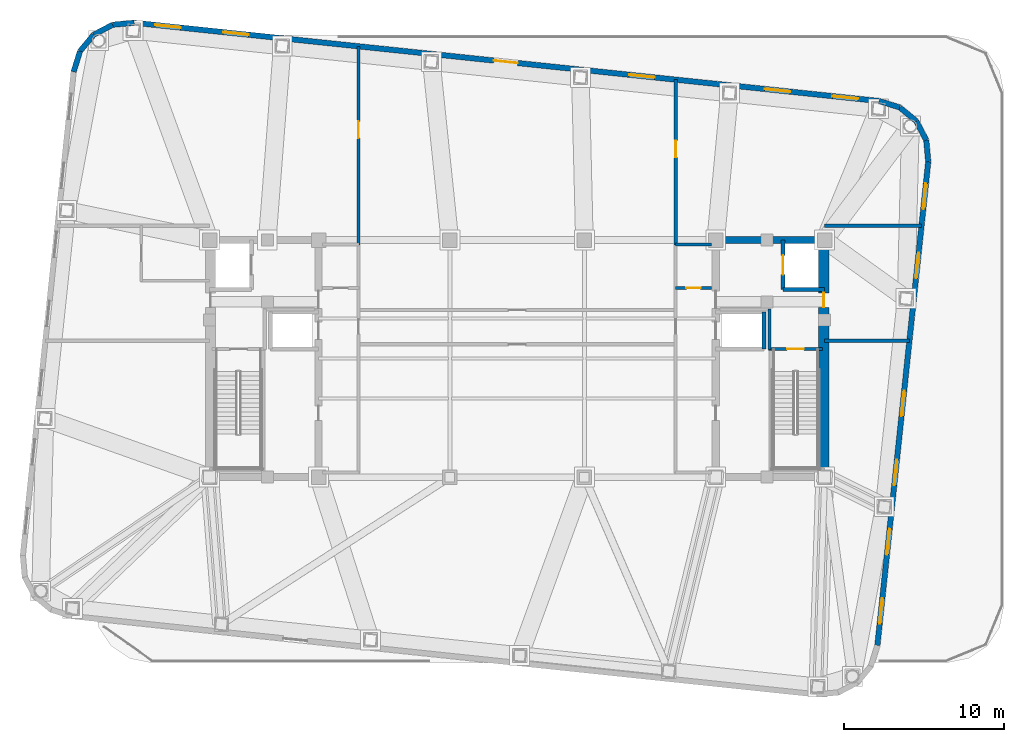
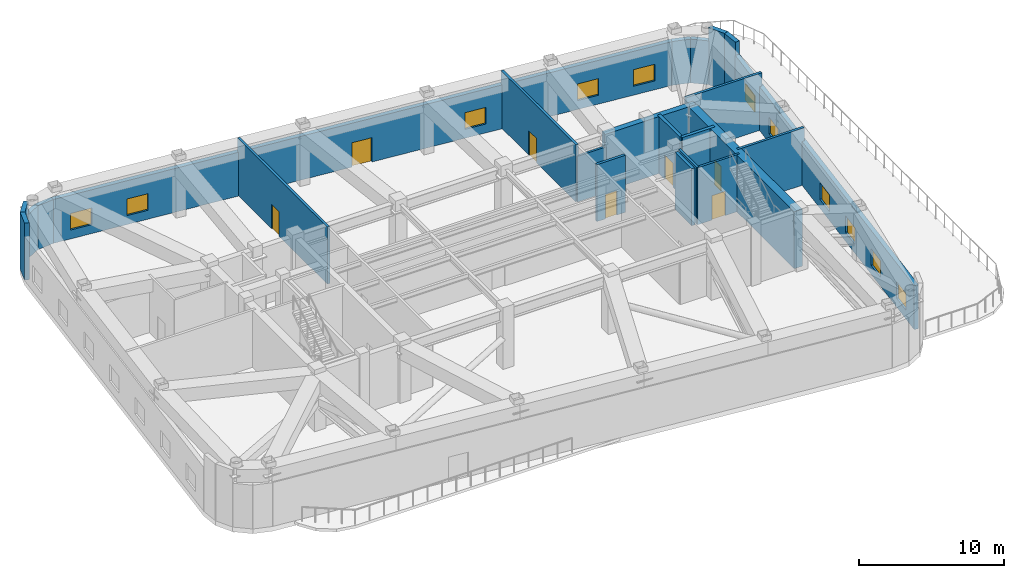
# One storey, part 5 of 9: 23 walls, 11 windows, 7 doors, 18 openings.
"""IFC4 building model written with IfcOpenShell, lengths in metres."""

import ifcopenshell
import ifcopenshell.guid

model = None  # the IFC model being written
_history = None  # IfcOwnerHistory: only IFC2X3 demands one
_inside = {}  # id of a spatial element -> (the spatial element, [elements in it])
_under = {}  # id of a project, library or spatial element -> (it, [spatial elements below it])
_declared = {}  # id of a project -> (the project, [libraries it declares])
_typed = {}  # id of a type object -> (the type object, [elements of that type])
_made_of = {}  # id of a material, layer set ... -> (it, [elements and type objects made of it])


def new_model(schema):
    """Start an empty IFC model of exactly this schema.

    Asked for "IFC4X3", IfcOpenShell would pick the latest addendum, in which some entities
    have other attributes; the version numbers below select the first issue.
    IFC2X3 requires an IfcOwnerHistory on every rooted entity: one is made here for all.
    """
    global model, _history
    if schema == "IFC4X3":
        model = ifcopenshell.file(schema_version=(4, 3, 0, 0))
    else:
        model = ifcopenshell.file(schema=schema)
    _inside.clear()
    _under.clear()
    _declared.clear()
    _typed.clear()
    _made_of.clear()
    _history = None
    if model.schema == "IFC2X3":
        org = make("IfcOrganization", Name="unknown")
        user = make(
            "IfcPersonAndOrganization",
            ThePerson=make("IfcPerson", FamilyName="unknown"),
            TheOrganization=org,
        )
        app = make(
            "IfcApplication",
            ApplicationDeveloper=org,
            Version="unknown",
            ApplicationFullName="unknown",
            ApplicationIdentifier="unknown",
        )
        _history = make(
            "IfcOwnerHistory",
            OwningUser=user,
            OwningApplication=app,
            ChangeAction="ADDED",
            CreationDate=0,
        )
    return model


def make(cls, **values):
    """One entity of the class cls with the attributes given. An attribute that is None is left unset."""
    return model.create_entity(
        cls, **{name: value for name, value in values.items() if value is not None}
    )


def rooted(cls, **values):
    """An entity with a GlobalId (a new one), such as an element, a storey or a relation."""
    return make(cls, GlobalId=ifcopenshell.guid.new(), OwnerHistory=_history, **values)


def si_unit(unit_type, name, prefix=None):
    """IfcSIUnit, for example si_unit("LENGTHUNIT", "METRE", prefix="MILLI")."""
    return make("IfcSIUnit", UnitType=unit_type, Prefix=prefix, Name=name)


def assignment(units):
    """IfcUnitAssignment: the units of a project."""
    return None if units is None else make("IfcUnitAssignment", Units=units)


def point(xyz):
    """IfcCartesianPoint."""
    return None if xyz is None else make("IfcCartesianPoint", Coordinates=xyz)


def direction(xyz):
    """IfcDirection."""
    return None if xyz is None else make("IfcDirection", DirectionRatios=xyz)


def frame(location, z_axis=None, x_axis=None):
    """IfcAxis2Placement3D, a coordinate frame: its origin and axes. An axis left out is left unset."""
    return make(
        "IfcAxis2Placement3D",
        Location=point(location),
        Axis=direction(z_axis),
        RefDirection=direction(x_axis),
    )


def frame_2d(location, x_axis=None):
    """IfcAxis2Placement2D, a coordinate frame in the plane: its origin and x axis."""
    return make(
        "IfcAxis2Placement2D", Location=point(location), RefDirection=direction(x_axis)
    )


def origin():
    """The frame at (0, 0, 0) with its axes left unset."""
    return frame((0.0, 0.0, 0.0))


def place(relative_to, where):
    """IfcLocalPlacement: puts the frame where relative to a parent placement (None: the world)."""
    return make(
        "IfcLocalPlacement", PlacementRelTo=relative_to, RelativePlacement=where
    )


def context(
    kind, dimensions, precision=None, world=None, true_north=None, identifier=None
):
    """IfcGeometricRepresentationContext, for example the 3D "Model" context."""
    return make(
        "IfcGeometricRepresentationContext",
        ContextIdentifier=identifier,
        ContextType=kind,
        CoordinateSpaceDimension=dimensions,
        Precision=precision,
        WorldCoordinateSystem=world,
        TrueNorth=true_north,
    )


def subcontext(parent, identifier, kind, view, scale=None):
    """IfcGeometricRepresentationSubContext, for example "Body" below "Model"."""
    return make(
        "IfcGeometricRepresentationSubContext",
        ContextIdentifier=identifier,
        ContextType=kind,
        ParentContext=parent,
        TargetScale=scale,
        TargetView=view,
    )


def project(units=None, contexts=None):
    """IfcProject with its units and contexts."""
    return rooted(
        "IfcProject",
        Name="project",
        RepresentationContexts=contexts,
        UnitsInContext=assignment(units),
    )


def spatial(cls, under=None, at=None, **own):
    """A site, building, storey or space (cls), placed at a placement, below another one or the project."""
    s = rooted(cls, ObjectPlacement=at, **own)
    if under is not None:
        _under.setdefault(under.id(), (under, []))[1].append(s)
    return s


def profile(cls, at=None, kind="AREA", **sizes):
    """A parametric profile (cls). Its sizes go by their IFC names, for example OverallWidth=200.0."""
    return make(cls, ProfileType=kind, Position=at, **sizes)


def rectangle(**sizes):
    """IfcRectangleProfileDef."""
    return profile("IfcRectangleProfileDef", **sizes)


def extrude(swept, where, along, depth):
    """IfcExtrudedAreaSolid: the profile swept, set in the frame where, extruded along a direction by depth."""
    return make(
        "IfcExtrudedAreaSolid",
        SweptArea=swept,
        Position=where,
        ExtrudedDirection=direction(along),
        Depth=depth,
    )


def shape(context_of_items, identifier, shape_type, items):
    """IfcShapeRepresentation: the items that make up one representation, for example the "Body"."""
    return make(
        "IfcShapeRepresentation",
        ContextOfItems=context_of_items,
        RepresentationIdentifier=identifier,
        RepresentationType=shape_type,
        Items=items,
    )


def material(Name=None, Category=None):
    """IfcMaterial."""
    return make("IfcMaterial", Name=Name, Category=Category)


def layer(
    of_material, thickness, ventilated=None, Name=None, Category=None, Priority=None
):
    """IfcMaterialLayer: one layer of a wall or slab, of a material (None: an air gap)."""
    return make(
        "IfcMaterialLayer",
        Material=of_material,
        LayerThickness=thickness,
        IsVentilated=ventilated,
        Name=Name,
        Category=Category,
        Priority=Priority,
    )


def layer_set(layers, Name=None):
    """IfcMaterialLayerSet."""
    return make("IfcMaterialLayerSet", MaterialLayers=layers, LayerSetName=Name)


def made_of(thing, what):
    """Note that an element or type object is made of a material, layer set ...; save() writes the relation."""
    if what is not None:
        _made_of.setdefault(what.id(), (what, []))[1].append(thing)
    return thing


def type_object(cls, material=None, **own):
    """A type object (cls), such as IfcWallType, which elements share."""
    return made_of(rooted(cls, **own), material)


def element(
    cls,
    number,
    at=None,
    inside=None,
    cuts=None,
    type_object=None,
    material=None,
    context=None,
    identifier="Body",
    shape_type=None,
    held_by="IfcProductDefinitionShape",
    body=None,
    shapes=None,
    **own,
):
    """One element of the class cls, such as IfcWall. Its Tag is "e" and its number.

    at: its placement. inside: the storey or other place that contains it. cuts: it is an
    opening in that element (IfcRelVoidsElement). A single representation is given by context,
    identifier, shape_type and body (its items); several are given by shapes. held_by: the class
    of the entity that holds the representations. save() writes the other relations.
    """
    e = rooted(cls, Tag="e%d" % number, ObjectPlacement=at, **own)
    if body is not None:
        shapes = [shape(context, identifier, shape_type, body)]
    if shapes is not None:
        e.Representation = make(held_by, Representations=shapes)
    if inside is not None:
        _inside.setdefault(inside.id(), (inside, []))[1].append(e)
    if cuts is not None:
        rooted(
            "IfcRelVoidsElement", RelatingBuildingElement=cuts, RelatedOpeningElement=e
        )
    if type_object is not None:
        _typed.setdefault(type_object.id(), (type_object, []))[1].append(e)
    return made_of(e, material)


def fill(opening, filler):
    """IfcRelFillsElement: the door or window that sits in an opening."""
    return rooted(
        "IfcRelFillsElement",
        RelatingOpeningElement=opening,
        RelatedBuildingElement=filler,
    )


def aggregate(whole, parts):
    """IfcRelAggregates: a whole, such as a stair, and the parts it consists of."""
    return rooted("IfcRelAggregates", RelatingObject=whole, RelatedObjects=parts)


def save(model, path):
    """Write the relations noted so far, then the file.

    IfcRelAggregates (storeys below a building ...), IfcRelContainedInSpatialStructure (elements
    in a storey), IfcRelDefinesByType, IfcRelAssociatesMaterial and IfcRelDeclares: one each for
    every whole, place, type object, material and project.
    """
    for whole, parts in _under.values():
        aggregate(whole, parts)
    for where, things in _inside.values():
        rooted(
            "IfcRelContainedInSpatialStructure",
            RelatedElements=things,
            RelatingStructure=where,
        )
    for kind, things in _typed.values():
        rooted("IfcRelDefinesByType", RelatedObjects=things, RelatingType=kind)
    for what, things in _made_of.values():
        rooted("IfcRelAssociatesMaterial", RelatedObjects=things, RelatingMaterial=what)
    for by, libraries in _declared.values():
        rooted("IfcRelDeclares", RelatingContext=by, RelatedDefinitions=libraries)
    model.write(path)


model = new_model("IFC4")

# Units and contexts
model_context = context("Model", 3, precision=1e-05, world=origin(), true_north=direction((0.0, 1.0)))
body_context = subcontext(model_context, "Body", "Model", "MODEL_VIEW")
ifc_project = project(units=[si_unit("LENGTHUNIT", "METRE"), si_unit("AREAUNIT", "SQUARE_METRE"), si_unit("VOLUMEUNIT", "CUBIC_METRE"), si_unit("PLANEANGLEUNIT", "RADIAN"), si_unit("MASSUNIT", "GRAM", prefix="KILO")], contexts=[model_context])

# Site, building, storey
site_placement = place(None, origin())
site = spatial("IfcSite", under=ifc_project, at=site_placement, CompositionType="ELEMENT")
building_placement = place(site_placement, origin())
building = spatial("IfcBuilding", under=site, at=building_placement, Name="Voryun Gate Residences", CompositionType="ELEMENT")
storey_placement = place(building_placement, frame((0.0, 0.0, 254.800048828125)))
storey = spatial("IfcBuildingStorey", under=building, at=storey_placement, Name="L63", CompositionType="ELEMENT", Elevation=254.800048828125)

# Wall
ifc_material_1 = material(Name="Concrete C50/60", Category="concrete")
ifc_layer_1 = layer(ifc_material_1, 0.449951171875, Name="CW_CORE_450")
ifc_layer_set_1 = layer_set([ifc_layer_1], Name="Concrete C50/60")
wall_type_1 = type_object("IfcWallType", Name="CW_CORE_450", PredefinedType="SHEAR", material=ifc_layer_set_1)
wall_1_placement = place(storey_placement, frame((12.175048828125, 7.39990234375, 0.0), z_axis=(0.0, 0.0, 1.0), x_axis=(1.0, 0.0, 0.0)))
element("IfcWall", 1, at=wall_1_placement, inside=storey, type_object=wall_type_1, Name="L63 Core shear wall CW-L63-EN", PredefinedType="SHEAR", context=body_context, shape_type="SweptSolid", body=[
    extrude(rectangle(XDim=7.25, YDim=0.449951171875, at=frame_2d((3.625, 0.0))), origin(), (0.0, 0.0, 1.0), 4.800048828125),
])

# Wall, opening, door
ifc_material_2 = material(Name="Concrete C60/75", Category="concrete")
ifc_layer_2 = layer(ifc_material_2, 0.64990234375, Name="CW_CORE_650")
ifc_layer_set_2 = layer_set([ifc_layer_2], Name="Concrete C60/75")
wall_type_2 = type_object("IfcWallType", Name="CW_CORE_650", PredefinedType="SHEAR", material=ifc_layer_set_2)
wall_2_placement = place(storey_placement, frame((19.14501953125, -7.39990234375, 0.0), z_axis=(0.0, 0.0, 1.0), x_axis=(0.0, 1.0, 0.0)))
wall_2 = element("IfcWall", 2, at=wall_2_placement, inside=storey, type_object=wall_type_2, Name="L63 Core shear wall CW-L63-EE", PredefinedType="SHEAR", context=body_context, shape_type="SweptSolid", body=[
    extrude(rectangle(XDim=14.7998046875, YDim=0.64990234375, at=frame_2d((7.39990234375, 0.0))), origin(), (0.0, 0.0, 1.0), 4.800048828125),
])
opening_1_placement = place(wall_2_placement, frame((10.60009765625, 0.0, 0.0)))
opening_1 = element("IfcOpeningElement", 3, at=opening_1_placement, cuts=wall_2, Name="Opening D-FD60-4", PredefinedType="OPENING", context=body_context, shape_type="SweptSolid", body=[
    extrude(rectangle(XDim=0.89990234375, YDim=2.050048828125, at=frame_2d((0.449951171875, 1.02490234375))), frame((0.0, 0.3349609375, 0.0), z_axis=(0.0, -1.0, 0.0), x_axis=(1.0, 0.0, 0.0)), (0.0, 0.0, 1.0), 0.669921875),
])
ifc_material_3 = material(Name="Painted steel fire door", Category="steel")
door_type_1 = type_object("IfcDoorType", Name="DR_FD60_RISER_900", OperationType="NOTDEFINED", PredefinedType="DOOR", material=ifc_material_3)
door_1_placement = place(opening_1_placement, origin())
door_1 = element("IfcDoor", 4, at=door_1_placement, inside=storey, type_object=door_type_1, Name="Door DR-L63-STREF-E", OperationType="SINGLE_SWING_LEFT", OverallHeight=2.050048828125, OverallWidth=0.89990234375, PredefinedType="DOOR", context=body_context, shape_type="SweptSolid", body=[
    extrude(rectangle(XDim=0.89990234375, YDim=2.050048828125, at=frame_2d((0.449951171875, 1.02490234375))), frame((0.0, 0.02490234375, 0.0), z_axis=(0.0, -1.0, 0.0), x_axis=(1.0, 0.0, 0.0)), (0.0, 0.0, 1.0), 0.050048828125),
])
fill(opening_1, door_1)

ifc_material_4 = material(Name="Gypsum acoustic fireboard")
ifc_layer_3 = layer(ifc_material_4, 0.179931640625, Name="W_CORR_RATED_180")
ifc_layer_set_3 = layer_set([ifc_layer_3], Name="Gypsum acoustic fireboard")
wall_type_3 = type_object("IfcWallType", Name="W_CORR_RATED_180", PredefinedType="PARTITIONING", material=ifc_layer_set_3)
wall_3_placement = place(storey_placement, frame((15.699951171875, 0.60009765625, 0.0), z_axis=(0.0, 0.0, 1.0), x_axis=(1.0, 0.0, 0.0)))
wall_3 = element("IfcWall", 5, at=wall_3_placement, inside=storey, type_object=wall_type_3, Name="Partition wall WP-L63-STV-E", PredefinedType="PARTITIONING", context=body_context, shape_type="SweptSolid", body=[
    extrude(rectangle(XDim=3.360107421875, YDim=0.179931640625, at=frame_2d((1.68017578125, 0.0))), origin(), (0.0, 0.0, 1.0), 4.800048828125),
])
opening_2_placement = place(wall_3_placement, frame((1.155029296875, 0.0, 0.0)))
opening_2 = element("IfcOpeningElement", 6, at=opening_2_placement, cuts=wall_3, Name="Opening D-FD60-1", PredefinedType="OPENING", context=body_context, shape_type="SweptSolid", body=[
    extrude(rectangle(XDim=1.050048828125, YDim=2.050048828125, at=frame_2d((0.52490234375, 1.02490234375))), frame((0.0, 0.099853515625, 0.0), z_axis=(0.0, -1.0, 0.0), x_axis=(1.0, 0.0, 0.0)), (0.0, 0.0, 1.0), 0.199951171875),
])
ifc_material_5 = material(Name="Painted steel fire door", Category="steel")
door_type_2 = type_object("IfcDoorType", Name="DR_FD60_STAIR_1050", OperationType="NOTDEFINED", PredefinedType="DOOR", material=ifc_material_5)
door_2_placement = place(opening_2_placement, origin())
door_2 = element("IfcDoor", 7, at=door_2_placement, inside=storey, type_object=door_type_2, Name="Door DR-L63-ST-E", OperationType="SINGLE_SWING_RIGHT", OverallHeight=2.050048828125, OverallWidth=1.050048828125, PredefinedType="DOOR", context=body_context, shape_type="SweptSolid", body=[
    extrude(rectangle(XDim=1.050048828125, YDim=2.050048828125, at=frame_2d((0.52490234375, 1.02490234375))), frame((0.0, 0.02490234375, 0.0), z_axis=(0.0, -1.0, 0.0), x_axis=(1.0, 0.0, 0.0)), (0.0, 0.0, 1.0), 0.050048828125),
])
fill(opening_2, door_2)

# Walls
wall_4_placement = place(storey_placement, frame((9.8798828125, 7.1201171875, 0.0), z_axis=(0.0, 0.0, 1.0), x_axis=(1.0, 0.0, 0.0)))
element("IfcWall", 8, at=wall_4_placement, inside=storey, type_object=wall_type_3, Name="Partition wall WP-L63-PLBN-E", PredefinedType="PARTITIONING", context=body_context, shape_type="SweptSolid", body=[
    extrude(rectangle(XDim=2.27001953125, YDim=0.179931640625, at=frame_2d((1.135009765625, 0.0))), origin(), (0.0, 0.0, 1.0), 3.83984375),
])
ifc_material_6 = material(Name="Charcoal terracotta masonry", Category="masonry")
ifc_layer_4 = layer(ifc_material_6, 0.340087890625, Name="W_EXT_TERRACOTTA_340")
ifc_layer_set_4 = layer_set([ifc_layer_4], Name="Charcoal terracotta masonry")
wall_type_4 = type_object("IfcWallType", Name="W_EXT_TERRACOTTA_340", PredefinedType="ELEMENTEDWALL", material=ifc_layer_set_4)
wall_5_placement = place(storey_placement, frame((-27.69580078125, 17.904541015625, 0.0), z_axis=(0.0, 0.0, 1.0), x_axis=(0.296416228123, 0.955058856671, 0.0)))
element("IfcWall", 9, at=wall_5_placement, inside=storey, type_object=wall_type_4, Name="Exterior wall WEXT-L63-07", PredefinedType="ELEMENTEDWALL", context=body_context, shape_type="SweptSolid", body=[
    extrude(rectangle(XDim=1.35400390625, YDim=0.340087890625, at=frame_2d((0.677001953125, 0.0))), origin(), (0.0, 0.0, 1.0), 4.800048828125),
])
wall_6_placement = place(storey_placement, frame((-27.29443359375, 19.19775390625, 0.0), z_axis=(0.0, 0.0, 1.0), x_axis=(0.639501603217, 0.768789762863, 0.0)))
element("IfcWall", 10, at=wall_6_placement, inside=storey, type_object=wall_type_4, Name="Exterior wall WEXT-L63-08", PredefinedType="ELEMENTEDWALL", context=body_context, shape_type="SweptSolid", body=[
    extrude(rectangle(XDim=1.3369140625, YDim=0.340087890625, at=frame_2d((0.66845703125, 0.0))), origin(), (0.0, 0.0, 1.0), 4.800048828125),
])
wall_7_placement = place(storey_placement, frame((-26.439453125, 20.2255859375, 0.0), z_axis=(0.0, 0.0, 1.0), x_axis=(0.884922182678, 0.465738908193, 0.0)))
element("IfcWall", 11, at=wall_7_placement, inside=storey, type_object=wall_type_4, Name="Exterior wall WEXT-L63-09", PredefinedType="ELEMENTEDWALL", context=body_context, shape_type="SweptSolid", body=[
    extrude(rectangle(XDim=1.337158203125, YDim=0.340087890625, at=frame_2d((0.66845703125, 0.0))), origin(), (0.0, 0.0, 1.0), 3.68994140625),
])
wall_8_placement = place(storey_placement, frame((-25.256103515625, 20.848388671875, 0.0), z_axis=(0.0, 0.0, 1.0), x_axis=(0.995813013343, 0.091413579172, 0.0)))
element("IfcWall", 12, at=wall_8_placement, inside=storey, type_object=wall_type_4, Name="Exterior wall WEXT-L63-10", PredefinedType="ELEMENTEDWALL", context=body_context, shape_type="SweptSolid", body=[
    extrude(rectangle(XDim=1.35400390625, YDim=0.340087890625, at=frame_2d((0.677001953125, 0.0))), origin(), (0.0, 0.0, 1.0), 3.68994140625),
])

# Wall, openings, door, windows
wall_9_placement = place(storey_placement, frame((-23.90771484375, 20.97216796875, 0.0), z_axis=(0.0, 0.0, 1.0), x_axis=(0.994521888554, -0.104528528102, 0.0)))
wall_9 = element("IfcWall", 13, at=wall_9_placement, inside=storey, type_object=wall_type_4, Name="Exterior wall WEXT-L63-11", PredefinedType="ELEMENTEDWALL", context=body_context, shape_type="SweptSolid", body=[
    extrude(rectangle(XDim=46.766357421875, YDim=0.340087890625, at=frame_2d((23.38330078125, 0.0))), origin(), (0.0, 0.0, 1.0), 3.68994140625),
])
opening_3_placement = place(wall_9_placement, frame((1.32568359375, 0.0, 0.75)))
opening_3 = element("IfcOpeningElement", 14, at=opening_3_placement, cuts=wall_9, Name="Opening WN8", PredefinedType="OPENING", context=body_context, shape_type="SweptSolid", body=[
    extrude(rectangle(XDim=1.60009765625, YDim=1.39990234375, at=frame_2d((0.800048828125, 0.699951171875))), frame((0.0, 0.179931640625, 0.0), z_axis=(0.0, -1.0, 0.0), x_axis=(1.0, 0.0, 0.0)), (0.0, 0.0, 1.0), 0.360107421875),
])
opening_4_placement = place(wall_9_placement, frame((5.5771484375, 0.0, 0.75)))
opening_4 = element("IfcOpeningElement", 15, at=opening_4_placement, cuts=wall_9, Name="Opening WN8", PredefinedType="OPENING", context=body_context, shape_type="SweptSolid", body=[
    extrude(rectangle(XDim=1.60009765625, YDim=1.39990234375, at=frame_2d((0.800048828125, 0.699951171875))), frame((0.0, 0.179931640625, 0.0), z_axis=(0.0, -1.0, 0.0), x_axis=(1.0, 0.0, 0.0)), (0.0, 0.0, 1.0), 0.360107421875),
])
opening_5_placement = place(wall_9_placement, frame((22.583251953125, 0.0, 0.0)))
opening_5 = element("IfcOpeningElement", 16, at=opening_5_placement, cuts=wall_9, Name="Opening D-TER-1", PredefinedType="OPENING", context=body_context, shape_type="SweptSolid", body=[
    extrude(rectangle(XDim=1.5, YDim=2.050048828125, at=frame_2d((0.75, 1.02490234375))), frame((0.0, 0.179931640625, 0.0), z_axis=(0.0, -1.0, 0.0), x_axis=(1.0, 0.0, 0.0)), (0.0, 0.0, 1.0), 0.360107421875),
])
opening_6_placement = place(wall_9_placement, frame((31.086181640625, 0.0, 0.75)))
opening_6 = element("IfcOpeningElement", 17, at=opening_6_placement, cuts=wall_9, Name="Opening WN8", PredefinedType="OPENING", context=body_context, shape_type="SweptSolid", body=[
    extrude(rectangle(XDim=1.60009765625, YDim=1.39990234375, at=frame_2d((0.800048828125, 0.699951171875))), frame((0.0, 0.179931640625, 0.0), z_axis=(0.0, -1.0, 0.0), x_axis=(1.0, 0.0, 0.0)), (0.0, 0.0, 1.0), 0.360107421875),
])
opening_7_placement = place(wall_9_placement, frame((39.589111328125, 0.0, 0.75)))
opening_7 = element("IfcOpeningElement", 18, at=opening_7_placement, cuts=wall_9, Name="Opening WN8", PredefinedType="OPENING", context=body_context, shape_type="SweptSolid", body=[
    extrude(rectangle(XDim=1.60009765625, YDim=1.39990234375, at=frame_2d((0.800048828125, 0.699951171875))), frame((0.0, 0.179931640625, 0.0), z_axis=(0.0, -1.0, 0.0), x_axis=(1.0, 0.0, 0.0)), (0.0, 0.0, 1.0), 0.360107421875),
])
opening_8_placement = place(wall_9_placement, frame((43.8408203125, 0.0, 0.75)))
opening_8 = element("IfcOpeningElement", 19, at=opening_8_placement, cuts=wall_9, Name="Opening WN8", PredefinedType="OPENING", context=body_context, shape_type="SweptSolid", body=[
    extrude(rectangle(XDim=1.60009765625, YDim=1.39990234375, at=frame_2d((0.800048828125, 0.699951171875))), frame((0.0, 0.179931640625, 0.0), z_axis=(0.0, -1.0, 0.0), x_axis=(1.0, 0.0, 0.0)), (0.0, 0.0, 1.0), 0.360107421875),
])
ifc_material_7 = material(Name="Thermally broken aluminium and low-E glass", Category="aluminium")
door_type_3 = type_object("IfcDoorType", Name="DR_TERR_EXIT_1500", OperationType="NOTDEFINED", PredefinedType="DOOR", material=ifc_material_7)
door_3_placement = place(opening_5_placement, origin())
door_3 = element("IfcDoor", 20, at=door_3_placement, inside=storey, type_object=door_type_3, Name="Door DR-L63-OUT-01", OperationType="DOUBLE_DOOR_SINGLE_SWING", OverallHeight=2.050048828125, OverallWidth=1.5, PredefinedType="DOOR", context=body_context, shape_type="SweptSolid", body=[
    extrude(rectangle(XDim=1.5, YDim=2.050048828125, at=frame_2d((0.75, 1.02490234375))), frame((0.0, 0.02490234375, 0.0), z_axis=(0.0, -1.0, 0.0), x_axis=(1.0, 0.0, 0.0)), (0.0, 0.0, 1.0), 0.050048828125),
])
fill(opening_5, door_3)
ifc_material_8 = material(Name="Anodised aluminium", Category="aluminium")
window_type = type_object("IfcWindowType", Name="WN_REFUGE_LOUVRE_1600", PartitioningType="SINGLE_PANEL", PredefinedType="WINDOW", material=ifc_material_8)
window_1_placement = place(opening_3_placement, origin())
window_1 = element("IfcWindow", 21, at=window_1_placement, inside=storey, type_object=window_type, Name="Window WN-L63-LV-11-01", OverallHeight=1.39990234375, OverallWidth=1.60009765625, PartitioningType="SINGLE_PANEL", PredefinedType="WINDOW", context=body_context, shape_type="SweptSolid", body=[
    extrude(rectangle(XDim=1.60009765625, YDim=1.39990234375, at=frame_2d((0.800048828125, 0.699951171875))), frame((0.0, 0.030029296875, 0.0), z_axis=(0.0, -1.0, 0.0), x_axis=(1.0, 0.0, 0.0)), (0.0, 0.0, 1.0), 0.06005859375),
])
fill(opening_3, window_1)
window_2_placement = place(opening_4_placement, origin())
window_2 = element("IfcWindow", 22, at=window_2_placement, inside=storey, type_object=window_type, Name="Window WN-L63-LV-11-02", OverallHeight=1.39990234375, OverallWidth=1.60009765625, PartitioningType="SINGLE_PANEL", PredefinedType="WINDOW", context=body_context, shape_type="SweptSolid", body=[
    extrude(rectangle(XDim=1.60009765625, YDim=1.39990234375, at=frame_2d((0.800048828125, 0.699951171875))), frame((0.0, 0.030029296875, 0.0), z_axis=(0.0, -1.0, 0.0), x_axis=(1.0, 0.0, 0.0)), (0.0, 0.0, 1.0), 0.06005859375),
])
fill(opening_4, window_2)
window_3_placement = place(opening_6_placement, origin())
window_3 = element("IfcWindow", 23, at=window_3_placement, inside=storey, type_object=window_type, Name="Window WN-L63-LV-11-08", OverallHeight=1.39990234375, OverallWidth=1.60009765625, PartitioningType="SINGLE_PANEL", PredefinedType="WINDOW", context=body_context, shape_type="SweptSolid", body=[
    extrude(rectangle(XDim=1.60009765625, YDim=1.39990234375, at=frame_2d((0.800048828125, 0.699951171875))), frame((0.0, 0.030029296875, 0.0), z_axis=(0.0, -1.0, 0.0), x_axis=(1.0, 0.0, 0.0)), (0.0, 0.0, 1.0), 0.06005859375),
])
fill(opening_6, window_3)
window_4_placement = place(opening_7_placement, origin())
window_4 = element("IfcWindow", 24, at=window_4_placement, inside=storey, type_object=window_type, Name="Window WN-L63-LV-11-10", OverallHeight=1.39990234375, OverallWidth=1.60009765625, PartitioningType="SINGLE_PANEL", PredefinedType="WINDOW", context=body_context, shape_type="SweptSolid", body=[
    extrude(rectangle(XDim=1.60009765625, YDim=1.39990234375, at=frame_2d((0.800048828125, 0.699951171875))), frame((0.0, 0.030029296875, 0.0), z_axis=(0.0, -1.0, 0.0), x_axis=(1.0, 0.0, 0.0)), (0.0, 0.0, 1.0), 0.06005859375),
])
fill(opening_7, window_4)
window_5_placement = place(opening_8_placement, origin())
window_5 = element("IfcWindow", 25, at=window_5_placement, inside=storey, type_object=window_type, Name="Window WN-L63-LV-11-11", OverallHeight=1.39990234375, OverallWidth=1.60009765625, PartitioningType="SINGLE_PANEL", PredefinedType="WINDOW", context=body_context, shape_type="SweptSolid", body=[
    extrude(rectangle(XDim=1.60009765625, YDim=1.39990234375, at=frame_2d((0.800048828125, 0.699951171875))), frame((0.0, 0.030029296875, 0.0), z_axis=(0.0, -1.0, 0.0), x_axis=(1.0, 0.0, 0.0)), (0.0, 0.0, 1.0), 0.06005859375),
])
fill(opening_8, window_5)

# Walls
wall_10_placement = place(storey_placement, frame((22.6025390625, 16.083740234375, 0.0), z_axis=(0.0, 0.0, 1.0), x_axis=(0.955007802701, -0.296580674994, 0.0)))
element("IfcWall", 26, at=wall_10_placement, inside=storey, type_object=wall_type_4, Name="Exterior wall WEXT-L63-12", PredefinedType="ELEMENTEDWALL", context=body_context, shape_type="SweptSolid", body=[
    extrude(rectangle(XDim=1.354248046875, YDim=0.340087890625, at=frame_2d((0.67724609375, 0.0))), origin(), (0.0, 0.0, 1.0), 3.68994140625),
])
wall_11_placement = place(storey_placement, frame((23.895751953125, 15.68212890625, 0.0), z_axis=(0.0, 0.0, 1.0), x_axis=(0.768789762863, -0.639501603217, 0.0)))
element("IfcWall", 27, at=wall_11_placement, inside=storey, type_object=wall_type_4, Name="Exterior wall WEXT-L63-13", PredefinedType="ELEMENTEDWALL", context=body_context, shape_type="SweptSolid", body=[
    extrude(rectangle(XDim=1.3369140625, YDim=0.340087890625, at=frame_2d((0.66845703125, 0.0))), origin(), (0.0, 0.0, 1.0), 3.68994140625),
])
wall_12_placement = place(storey_placement, frame((24.923583984375, 14.8271484375, 0.0), z_axis=(0.0, 0.0, 1.0), x_axis=(0.46567116636, -0.884957832228, 0.0)))
element("IfcWall", 28, at=wall_12_placement, inside=storey, type_object=wall_type_4, Name="Exterior wall WEXT-L63-14", PredefinedType="ELEMENTEDWALL", context=body_context, shape_type="SweptSolid", body=[
    extrude(rectangle(XDim=1.3369140625, YDim=0.340087890625, at=frame_2d((0.66845703125, 0.0))), origin(), (0.0, 0.0, 1.0), 4.800048828125),
])
wall_13_placement = place(storey_placement, frame((25.546142578125, 13.64404296875, 0.0), z_axis=(0.0, 0.0, 1.0), x_axis=(0.091592370975, -0.995796584438, 0.0)))
element("IfcWall", 29, at=wall_13_placement, inside=storey, type_object=wall_type_4, Name="Exterior wall WEXT-L63-15", PredefinedType="ELEMENTEDWALL", context=body_context, shape_type="SweptSolid", body=[
    extrude(rectangle(XDim=1.35400390625, YDim=0.340087890625, at=frame_2d((0.677001953125, 0.0))), origin(), (0.0, 0.0, 1.0), 4.800048828125),
])

# Wall, openings, windows
wall_14_placement = place(storey_placement, frame((25.670166015625, 12.295654296875, 0.0), z_axis=(0.0, 0.0, 1.0), x_axis=(-0.104533282919, -0.994521388791, 0.0)))
wall_14 = element("IfcWall", 30, at=wall_14_placement, inside=storey, type_object=wall_type_4, Name="Exterior wall WEXT-L63-16", PredefinedType="ELEMENTEDWALL", context=body_context, shape_type="SweptSolid", body=[
    extrude(rectangle(XDim=30.366455078125, YDim=0.340087890625, at=frame_2d((15.18310546875, 0.0))), origin(), (0.0, 0.0, 1.0), 3.68994140625),
])
opening_9_placement = place(wall_14_placement, frame((1.368896484375, 0.0, 0.75)))
opening_9 = element("IfcOpeningElement", 31, at=opening_9_placement, cuts=wall_14, Name="Opening WN8", PredefinedType="OPENING", context=body_context, shape_type="SweptSolid", body=[
    extrude(rectangle(XDim=1.60009765625, YDim=1.39990234375, at=frame_2d((0.800048828125, 0.699951171875))), frame((0.0, 0.179931640625, 0.0), z_axis=(0.0, -1.0, 0.0), x_axis=(1.0, 0.0, 0.0)), (0.0, 0.0, 1.0), 0.360107421875),
])
opening_10_placement = place(wall_14_placement, frame((5.70703125, 0.0, 0.75)))
opening_10 = element("IfcOpeningElement", 32, at=opening_10_placement, cuts=wall_14, Name="Opening WN8", PredefinedType="OPENING", context=body_context, shape_type="SweptSolid", body=[
    extrude(rectangle(XDim=1.60009765625, YDim=1.39990234375, at=frame_2d((0.800048828125, 0.699951171875))), frame((0.0, 0.179931640625, 0.0), z_axis=(0.0, -1.0, 0.0), x_axis=(1.0, 0.0, 0.0)), (0.0, 0.0, 1.0), 0.360107421875),
])
opening_11_placement = place(wall_14_placement, frame((14.38330078125, 0.0, 0.75)))
opening_11 = element("IfcOpeningElement", 33, at=opening_11_placement, cuts=wall_14, Name="Opening WN8", PredefinedType="OPENING", context=body_context, shape_type="SweptSolid", body=[
    extrude(rectangle(XDim=1.60009765625, YDim=1.39990234375, at=frame_2d((0.800048828125, 0.699951171875))), frame((0.0, 0.179931640625, 0.0), z_axis=(0.0, -1.0, 0.0), x_axis=(1.0, 0.0, 0.0)), (0.0, 0.0, 1.0), 0.360107421875),
])
opening_12_placement = place(wall_14_placement, frame((18.721435546875, 0.0, 0.75)))
opening_12 = element("IfcOpeningElement", 34, at=opening_12_placement, cuts=wall_14, Name="Opening WN8", PredefinedType="OPENING", context=body_context, shape_type="SweptSolid", body=[
    extrude(rectangle(XDim=1.60009765625, YDim=1.39990234375, at=frame_2d((0.800048828125, 0.699951171875))), frame((0.0, 0.179931640625, 0.0), z_axis=(0.0, -1.0, 0.0), x_axis=(1.0, 0.0, 0.0)), (0.0, 0.0, 1.0), 0.360107421875),
])
opening_13_placement = place(wall_14_placement, frame((23.059326171875, 0.0, 0.75)))
opening_13 = element("IfcOpeningElement", 35, at=opening_13_placement, cuts=wall_14, Name="Opening WN8", PredefinedType="OPENING", context=body_context, shape_type="SweptSolid", body=[
    extrude(rectangle(XDim=1.60009765625, YDim=1.39990234375, at=frame_2d((0.800048828125, 0.699951171875))), frame((0.0, 0.179931640625, 0.0), z_axis=(0.0, -1.0, 0.0), x_axis=(1.0, 0.0, 0.0)), (0.0, 0.0, 1.0), 0.360107421875),
])
opening_14_placement = place(wall_14_placement, frame((27.3974609375, 0.0, 0.75)))
opening_14 = element("IfcOpeningElement", 36, at=opening_14_placement, cuts=wall_14, Name="Opening WN8", PredefinedType="OPENING", context=body_context, shape_type="SweptSolid", body=[
    extrude(rectangle(XDim=1.60009765625, YDim=1.39990234375, at=frame_2d((0.800048828125, 0.699951171875))), frame((0.0, 0.179931640625, 0.0), z_axis=(0.0, -1.0, 0.0), x_axis=(1.0, 0.0, 0.0)), (0.0, 0.0, 1.0), 0.360107421875),
])
window_6_placement = place(opening_9_placement, origin())
window_6 = element("IfcWindow", 37, at=window_6_placement, inside=storey, type_object=window_type, Name="Window WN-L63-LV-16-01", OverallHeight=1.39990234375, OverallWidth=1.60009765625, PartitioningType="SINGLE_PANEL", PredefinedType="WINDOW", context=body_context, shape_type="SweptSolid", body=[
    extrude(rectangle(XDim=1.60009765625, YDim=1.39990234375, at=frame_2d((0.800048828125, 0.699951171875))), frame((0.0, 0.030029296875, 0.0), z_axis=(0.0, -1.0, 0.0), x_axis=(1.0, 0.0, 0.0)), (0.0, 0.0, 1.0), 0.06005859375),
])
fill(opening_9, window_6)
window_7_placement = place(opening_10_placement, origin())
window_7 = element("IfcWindow", 38, at=window_7_placement, inside=storey, type_object=window_type, Name="Window WN-L63-LV-16-02", OverallHeight=1.39990234375, OverallWidth=1.60009765625, PartitioningType="SINGLE_PANEL", PredefinedType="WINDOW", context=body_context, shape_type="SweptSolid", body=[
    extrude(rectangle(XDim=1.60009765625, YDim=1.39990234375, at=frame_2d((0.800048828125, 0.699951171875))), frame((0.0, 0.030029296875, 0.0), z_axis=(0.0, -1.0, 0.0), x_axis=(1.0, 0.0, 0.0)), (0.0, 0.0, 1.0), 0.06005859375),
])
fill(opening_10, window_7)
window_8_placement = place(opening_11_placement, origin())
window_8 = element("IfcWindow", 39, at=window_8_placement, inside=storey, type_object=window_type, Name="Window WN-L63-LV-16-04", OverallHeight=1.39990234375, OverallWidth=1.60009765625, PartitioningType="SINGLE_PANEL", PredefinedType="WINDOW", context=body_context, shape_type="SweptSolid", body=[
    extrude(rectangle(XDim=1.60009765625, YDim=1.39990234375, at=frame_2d((0.800048828125, 0.699951171875))), frame((0.0, 0.030029296875, 0.0), z_axis=(0.0, -1.0, 0.0), x_axis=(1.0, 0.0, 0.0)), (0.0, 0.0, 1.0), 0.06005859375),
])
fill(opening_11, window_8)
window_9_placement = place(opening_12_placement, origin())
window_9 = element("IfcWindow", 40, at=window_9_placement, inside=storey, type_object=window_type, Name="Window WN-L63-LV-16-05", OverallHeight=1.39990234375, OverallWidth=1.60009765625, PartitioningType="SINGLE_PANEL", PredefinedType="WINDOW", context=body_context, shape_type="SweptSolid", body=[
    extrude(rectangle(XDim=1.60009765625, YDim=1.39990234375, at=frame_2d((0.800048828125, 0.699951171875))), frame((0.0, 0.030029296875, 0.0), z_axis=(0.0, -1.0, 0.0), x_axis=(1.0, 0.0, 0.0)), (0.0, 0.0, 1.0), 0.06005859375),
])
fill(opening_12, window_9)
window_10_placement = place(opening_13_placement, origin())
window_10 = element("IfcWindow", 41, at=window_10_placement, inside=storey, type_object=window_type, Name="Window WN-L63-LV-16-06", OverallHeight=1.39990234375, OverallWidth=1.60009765625, PartitioningType="SINGLE_PANEL", PredefinedType="WINDOW", context=body_context, shape_type="SweptSolid", body=[
    extrude(rectangle(XDim=1.60009765625, YDim=1.39990234375, at=frame_2d((0.800048828125, 0.699951171875))), frame((0.0, 0.030029296875, 0.0), z_axis=(0.0, -1.0, 0.0), x_axis=(1.0, 0.0, 0.0)), (0.0, 0.0, 1.0), 0.06005859375),
])
fill(opening_13, window_10)
window_11_placement = place(opening_14_placement, origin())
window_11 = element("IfcWindow", 42, at=window_11_placement, inside=storey, type_object=window_type, Name="Window WN-L63-LV-16-07", OverallHeight=1.39990234375, OverallWidth=1.60009765625, PartitioningType="SINGLE_PANEL", PredefinedType="WINDOW", context=body_context, shape_type="SweptSolid", body=[
    extrude(rectangle(XDim=1.60009765625, YDim=1.39990234375, at=frame_2d((0.800048828125, 0.699951171875))), frame((0.0, 0.030029296875, 0.0), z_axis=(0.0, -1.0, 0.0), x_axis=(1.0, 0.0, 0.0)), (0.0, 0.0, 1.0), 0.06005859375),
])
fill(opening_14, window_11)

# Wall
ifc_material_9 = material(Name="Concrete C40/50", Category="concrete")
ifc_layer_5 = layer(ifc_material_9, 0.199951171875, Name="W_FF_LOBBY_200")
ifc_layer_set_5 = layer_set([ifc_layer_5], Name="Concrete C40/50")
wall_type_5 = type_object("IfcWallType", Name="W_FF_LOBBY_200", PredefinedType="PARTITIONING", material=ifc_layer_set_5)
wall_15_placement = place(storey_placement, frame((15.760009765625, 0.580078125, 0.0), z_axis=(0.0, 0.0, 1.0), x_axis=(0.0, 1.0, 0.0)))
element("IfcWall", 43, at=wall_15_placement, inside=storey, type_object=wall_type_5, Name="Partition wall WP-L63-FFP0-E", PredefinedType="PARTITIONING", context=body_context, shape_type="SweptSolid", body=[
    extrude(rectangle(XDim=2.52001953125, YDim=0.199951171875, at=frame_2d((1.260009765625, 0.0))), origin(), (0.0, 0.0, 1.0), 4.800048828125),
])

# Wall, opening, door
wall_16_placement = place(storey_placement, frame((9.8798828125, 4.409912109375, 0.0), z_axis=(0.0, 0.0, 1.0), x_axis=(1.0, 0.0, 0.0)))
wall_16 = element("IfcWall", 44, at=wall_16_placement, inside=storey, type_object=wall_type_5, Name="Partition wall WP-L63-CSFLKS-E", PredefinedType="PARTITIONING", context=body_context, shape_type="SweptSolid", body=[
    extrude(rectangle(XDim=2.27001953125, YDim=0.199951171875, at=frame_2d((1.135009765625, 0.0))), origin(), (0.0, 0.0, 1.0), 4.800048828125),
])
opening_15_placement = place(wall_16_placement, frame((0.68505859375, 0.0, 0.0)))
opening_15 = element("IfcOpeningElement", 45, at=opening_15_placement, cuts=wall_16, Name="Opening D-FD60-4", PredefinedType="OPENING", context=body_context, shape_type="SweptSolid", body=[
    extrude(rectangle(XDim=0.89990234375, YDim=2.050048828125, at=frame_2d((0.449951171875, 1.02490234375))), frame((0.0, 0.110107421875, 0.0), z_axis=(0.0, -1.0, 0.0), x_axis=(1.0, 0.0, 0.0)), (0.0, 0.0, 1.0), 0.219970703125),
])
door_4_placement = place(opening_15_placement, origin())
door_4 = element("IfcDoor", 46, at=door_4_placement, inside=storey, type_object=door_type_1, Name="Door DR-L63-CSFLK-E", OperationType="SINGLE_SWING_RIGHT", OverallHeight=2.050048828125, OverallWidth=0.89990234375, PredefinedType="DOOR", context=body_context, shape_type="SweptSolid", body=[
    extrude(rectangle(XDim=0.89990234375, YDim=2.050048828125, at=frame_2d((0.449951171875, 1.02490234375))), frame((0.0, 0.02490234375, 0.0), z_axis=(0.0, -1.0, 0.0), x_axis=(1.0, 0.0, 0.0)), (0.0, 0.0, 1.0), 0.050048828125),
])
fill(opening_15, door_4)

# Walls
wall_17_placement = place(storey_placement, frame((19.199951171875, 1.1201171875, 0.0), z_axis=(0.0, 0.0, 1.0), x_axis=(1.0, 0.0, 0.0)))
element("IfcWall", 47, at=wall_17_placement, inside=storey, type_object=wall_type_5, Name="Partition wall WP-L63-PES", PredefinedType="PARTITIONING", context=body_context, shape_type="SweptSolid", body=[
    extrude(rectangle(XDim=5.295654296875, YDim=0.199951171875, at=frame_2d((2.64794921875, 0.0))), origin(), (0.0, 0.0, 1.0), 4.800048828125),
])
wall_18_placement = place(storey_placement, frame((19.199951171875, 8.300048828125, 0.0), z_axis=(0.0, 0.0, 1.0), x_axis=(1.0, 0.0, 0.0)))
element("IfcWall", 48, at=wall_18_placement, inside=storey, type_object=wall_type_5, Name="Partition wall WP-L63-RFNE", PredefinedType="PARTITIONING", context=body_context, shape_type="SweptSolid", body=[
    extrude(rectangle(XDim=6.05029296875, YDim=0.199951171875, at=frame_2d((3.025146484375, 0.0))), origin(), (0.0, 0.0, 1.0), 4.800048828125),
])

# Wall, opening, door
wall_19_placement = place(storey_placement, frame((-9.89990234375, 7.10009765625, 0.0), z_axis=(0.0, 0.0, 1.0), x_axis=(0.0, 1.0, 0.0)))
wall_19 = element("IfcWall", 49, at=wall_19_placement, inside=storey, type_object=wall_type_5, Name="Partition wall WP-L63-PL1W", PredefinedType="PARTITIONING", context=body_context, shape_type="SweptSolid", body=[
    extrude(rectangle(XDim=12.39990234375, YDim=0.199951171875, at=frame_2d((6.199951171875, 0.0))), origin(), (0.0, 0.0, 1.0), 4.800048828125),
])
opening_16_placement = place(wall_19_placement, frame((6.6669921875, 0.0, 0.0)))
opening_16 = element("IfcOpeningElement", 50, at=opening_16_placement, cuts=wall_19, Name="Opening D-FD60-1", PredefinedType="OPENING", context=body_context, shape_type="SweptSolid", body=[
    extrude(rectangle(XDim=1.050048828125, YDim=2.050048828125, at=frame_2d((0.52490234375, 1.02490234375))), frame((0.0, 0.110107421875, 0.0), z_axis=(0.0, -1.0, 0.0), x_axis=(1.0, 0.0, 0.0)), (0.0, 0.0, 1.0), 0.219970703125),
])
door_5_placement = place(opening_16_placement, origin())
door_5 = element("IfcDoor", 51, at=door_5_placement, inside=storey, type_object=door_type_2, Name="Door DR-L63-PL3", OperationType="SINGLE_SWING_LEFT", OverallHeight=2.050048828125, OverallWidth=1.050048828125, PredefinedType="DOOR", context=body_context, shape_type="SweptSolid", body=[
    extrude(rectangle(XDim=1.050048828125, YDim=2.050048828125, at=frame_2d((0.52490234375, 1.02490234375))), frame((0.0, 0.02490234375, 0.0), z_axis=(0.0, -1.0, 0.0), x_axis=(1.0, 0.0, 0.0)), (0.0, 0.0, 1.0), 0.050048828125),
])
fill(opening_16, door_5)

wall_20_placement = place(storey_placement, frame((9.89990234375, 7.10009765625, 0.0), z_axis=(0.0, 0.0, 1.0), x_axis=(0.0, 1.0, 0.0)))
wall_20 = element("IfcWall", 52, at=wall_20_placement, inside=storey, type_object=wall_type_5, Name="Partition wall WP-L63-PL1E", PredefinedType="PARTITIONING", context=body_context, shape_type="SweptSolid", body=[
    extrude(rectangle(XDim=10.318603515625, YDim=0.199951171875, at=frame_2d((5.1591796875, 0.0))), origin(), (0.0, 0.0, 1.0), 4.800048828125),
])
opening_17_placement = place(wall_20_placement, frame((5.4599609375, 0.0, 0.0)))
opening_17 = element("IfcOpeningElement", 53, at=opening_17_placement, cuts=wall_20, Name="Opening D-FD60-1", PredefinedType="OPENING", context=body_context, shape_type="SweptSolid", body=[
    extrude(rectangle(XDim=1.050048828125, YDim=2.050048828125, at=frame_2d((0.52490234375, 1.02490234375))), frame((0.0, 0.110107421875, 0.0), z_axis=(0.0, -1.0, 0.0), x_axis=(1.0, 0.0, 0.0)), (0.0, 0.0, 1.0), 0.219970703125),
])
door_6_placement = place(opening_17_placement, origin())
door_6 = element("IfcDoor", 54, at=door_6_placement, inside=storey, type_object=door_type_2, Name="Door DR-L63-PL4", OperationType="SINGLE_SWING_RIGHT", OverallHeight=2.050048828125, OverallWidth=1.050048828125, PredefinedType="DOOR", context=body_context, shape_type="SweptSolid", body=[
    extrude(rectangle(XDim=1.050048828125, YDim=2.050048828125, at=frame_2d((0.52490234375, 1.02490234375))), frame((0.0, 0.02490234375, 0.0), z_axis=(0.0, -1.0, 0.0), x_axis=(1.0, 0.0, 0.0)), (0.0, 0.0, 1.0), 0.050048828125),
])
fill(opening_17, door_6)

# Wall
ifc_material_10 = material(Name="Concrete C50/60", Category="concrete")
ifc_layer_6 = layer(ifc_material_10, 0.25, Name="W_SHAFT_RC250")
ifc_layer_set_6 = layer_set([ifc_layer_6], Name="Concrete C50/60")
wall_type_6 = type_object("IfcWallType", Name="W_SHAFT_RC250", PredefinedType="SOLIDWALL", material=ifc_layer_set_6)
wall_21_placement = place(storey_placement, frame((16.60009765625, 4.300048828125, 0.0), z_axis=(0.0, 0.0, 1.0), x_axis=(1.0, 0.0, 0.0)))
element("IfcWall", 55, at=wall_21_placement, inside=storey, type_object=wall_type_6, Name="Lift shaft wall WSH-L63-EL-FF-E1-S", PredefinedType="SOLIDWALL", context=body_context, shape_type="SweptSolid", body=[
    extrude(rectangle(XDim=2.599853515625, YDim=0.25, at=frame_2d((1.2998046875, 0.0))), origin(), (0.0, 0.0, 1.0), 4.800048828125),
])

# Wall, opening, door
wall_22_placement = place(storey_placement, frame((16.60009765625, 7.39990234375, 0.0), z_axis=(0.0, 0.0, 1.0), x_axis=(0.0, -1.0, 0.0)))
wall_22 = element("IfcWall", 56, at=wall_22_placement, inside=storey, type_object=wall_type_6, Name="Lift shaft wall WSH-L63-EL-FF-E1-W", PredefinedType="SOLIDWALL", context=body_context, shape_type="SweptSolid", body=[
    extrude(rectangle(XDim=3.099853515625, YDim=0.25, at=frame_2d((1.5498046875, 0.0))), origin(), (0.0, 0.0, 1.0), 4.800048828125),
])
opening_18_placement = place(wall_22_placement, frame((0.949951171875, 0.0, 0.0)))
opening_18 = element("IfcOpeningElement", 57, at=opening_18_placement, cuts=wall_22, Name="Opening LD1", PredefinedType="OPENING", context=body_context, shape_type="SweptSolid", body=[
    extrude(rectangle(XDim=1.199951171875, YDim=2.050048828125, at=frame_2d((0.60009765625, 1.02490234375))), frame((0.0, 0.135009765625, 0.0), z_axis=(0.0, -1.0, 0.0), x_axis=(1.0, 0.0, 0.0)), (0.0, 0.0, 1.0), 0.27001953125),
])
ifc_material_11 = material(Name="Anodised aluminium", Category="aluminium")
door_type_4 = type_object("IfcDoorType", Name="DR_LD_FF_1200", OperationType="NOTDEFINED", PredefinedType="DOOR", material=ifc_material_11)
door_7_placement = place(opening_18_placement, origin())
door_7 = element("IfcDoor", 58, at=door_7_placement, inside=storey, type_object=door_type_4, Name="Lift EL-FF-E1 sliding landing door L63", OperationType="SLIDING_TO_LEFT", OverallHeight=2.050048828125, OverallWidth=1.199951171875, PredefinedType="DOOR", context=body_context, shape_type="SweptSolid", body=[
    extrude(rectangle(XDim=1.199951171875, YDim=2.050048828125, at=frame_2d((0.60009765625, 1.02490234375))), frame((0.0, 0.02490234375, 0.0), z_axis=(0.0, -1.0, 0.0), x_axis=(1.0, 0.0, 0.0)), (0.0, 0.0, 1.0), 0.050048828125),
])
fill(opening_18, door_7)

# Wall
wall_23_placement = place(storey_placement, frame((15.39990234375, 0.60009765625, 0.0), z_axis=(0.0, 0.0, 1.0), x_axis=(0.0, 1.0, 0.0)))
element("IfcWall", 59, at=wall_23_placement, inside=storey, type_object=wall_type_6, Name="Lift shaft wall WSH-L63-EL-P8-E", PredefinedType="SOLIDWALL", context=body_context, shape_type="SweptSolid", body=[
    extrude(rectangle(XDim=2.2998046875, YDim=0.25, at=frame_2d((1.14990234375, 0.0))), origin(), (0.0, 0.0, 1.0), 4.800048828125),
])

save(model, "model.ifc")
